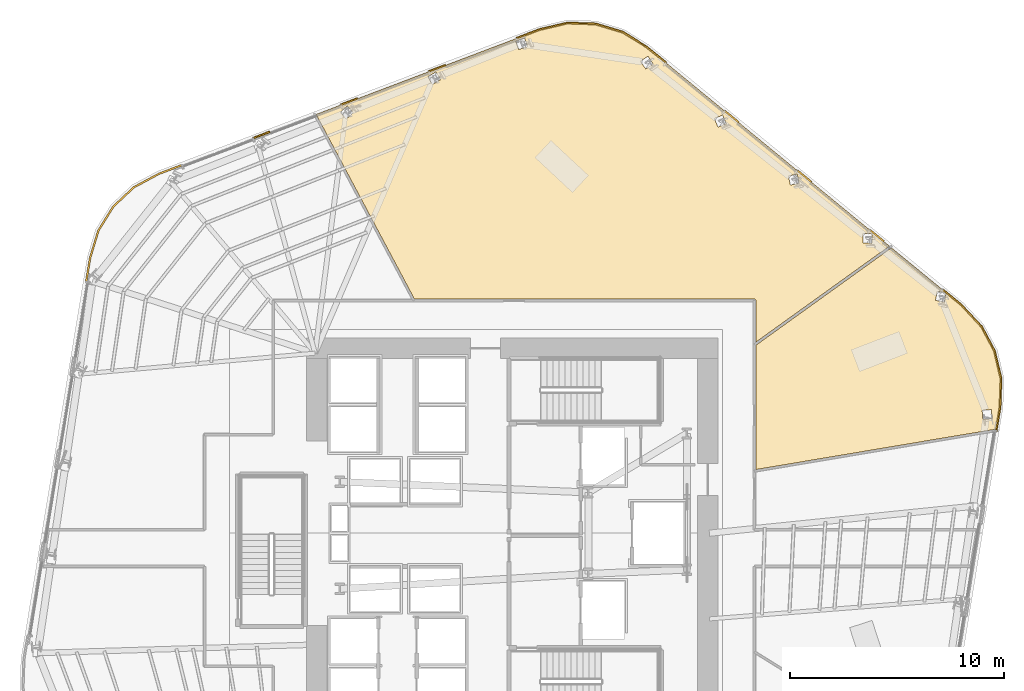
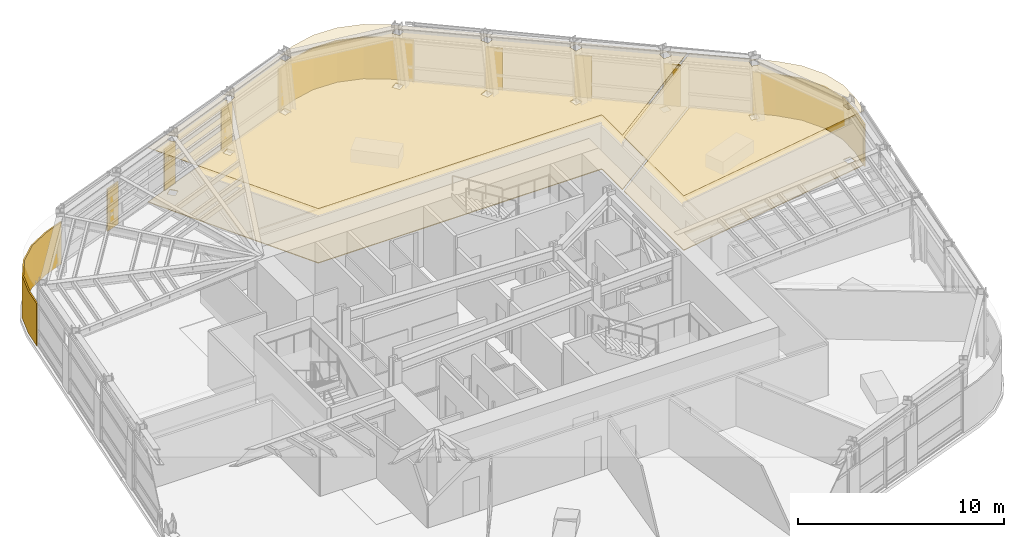
# One storey, part 17 of 18: 13 coverings.
"""IFC4 building model written with IfcOpenShell, lengths in metres."""

from ifc_helpers import new_model, si_unit, direction, frame, origin, place, context, subcontext, project, spatial, polyline, outline, extrude, material, layer, layer_set, type_object, element, save


model = new_model("IFC4")

# Units and contexts
model_context = context("Model", 3, precision=1e-05, world=origin(), true_north=direction((0.0, 1.0)))
body_context = subcontext(model_context, "Body", "Model", "MODEL_VIEW")
ifc_project = project(units=[si_unit("LENGTHUNIT", "METRE"), si_unit("AREAUNIT", "SQUARE_METRE"), si_unit("VOLUMEUNIT", "CUBIC_METRE"), si_unit("PLANEANGLEUNIT", "RADIAN"), si_unit("MASSUNIT", "GRAM", prefix="KILO")], contexts=[model_context])

# Site, building, storey
site_placement = place(None, origin())
site = spatial("IfcSite", under=ifc_project, at=site_placement, CompositionType="ELEMENT")
building_placement = place(site_placement, origin())
building = spatial("IfcBuilding", under=site, at=building_placement, Name="Valkerne Bourse Tower", CompositionType="ELEMENT")
storey_placement = place(building_placement, frame((0.0, 0.0, 112.39990234375)))
storey = spatial("IfcBuildingStorey", under=building, at=storey_placement, Name="L28", CompositionType="ELEMENT", Elevation=112.39990234375)

# Coverings
ifc_material_1 = material(Name="Mineral Fiber Acoustic Ceiling Tile", Category="acoustic")
ifc_layer_1 = layer(ifc_material_1, 0.02490234375)
ifc_layer_set_1 = layer_set([ifc_layer_1], Name="Mineral Fiber Acoustic Ceiling Tile")
covering_type_1 = type_object("IfcCoveringType", Name="COV-CEIL-ACT", PredefinedType="CEILING", material=ifc_layer_set_1)
covering_1_placement = place(storey_placement, frame((0.0, 0.0, 3.22998046875)))
element("IfcCovering", 1, at=covering_1_placement, inside=storey, type_object=covering_type_1, Name="L28 Suspended Ceiling 05", PredefinedType="CEILING", context=body_context, shape_type="SweptSolid", body=[
    extrude(outline(polyline([(69.297607421875, 35.501220703125), (69.59912109375, 34.216552734375), (69.557373046875, 32.887939453125), (69.389404296875, 31.85546875), (58.1689453125, 29.9697265625), (58.1689453125, 35.769287109375), (64.493408203125, 40.31591796875), (67.764404296875, 37.633056640625), (68.67431640625, 36.6640625), (69.297607421875, 35.501220703125)]), holes=[polyline([(69.154296875, 32.762939453125), (69.153564453125, 32.76611328125), (68.722900390625, 32.732666015625), (68.75439453125, 32.318603515625), (68.75537109375, 32.3154296875), (69.18603515625, 32.34912109375), (69.154296875, 32.762939453125)]), polyline([(67.039306640625, 38.20751953125), (67.03759765625, 38.21044921875), (66.62841796875, 38.287109375), (66.54736328125, 37.863525390625), (66.549072265625, 37.860595703125), (66.9580078125, 37.7841796875), (67.039306640625, 38.20751953125)])]), origin(), (0.0, 0.0, 1.0), 0.025146484375),
])
covering_2_placement = place(storey_placement, frame((0.0, 0.0, 3.22998046875)))
element("IfcCovering", 2, at=covering_2_placement, inside=storey, type_object=covering_type_1, Name="L28 Suspended Ceiling 09", PredefinedType="CEILING", context=body_context, shape_type="SweptSolid", body=[
    extrude(outline(polyline([(50.6904296875, 50.757080078125), (51.95361328125, 50.375732421875), (53.0830078125, 49.67529296875), (64.39892578125, 40.393310546875), (58.1689453125, 35.91455078125), (58.1689453125, 37.853515625), (58.151611328125, 37.89599609375), (58.110107421875, 37.91845703125), (42.239501953125, 37.9189453125), (37.64892578125, 46.541748046875), (48.07763671875, 50.4951171875), (49.37158203125, 50.798583984375), (50.6904296875, 50.757080078125)]), holes=[polyline([(39.06201171875, 46.325439453125), (39.38232421875, 46.61328125), (39.104736328125, 46.924072265625), (39.101806640625, 46.923095703125), (38.781494140625, 46.63525390625), (39.05908203125, 46.324462890625), (39.06201171875, 46.325439453125)]), polyline([(43.45263671875, 48.156494140625), (43.244140625, 48.517333984375), (43.2412109375, 48.516845703125), (42.868896484375, 48.30029296875), (43.077392578125, 47.939453125), (43.080322265625, 47.93994140625), (43.45263671875, 48.156494140625)]), polyline([(53.130126953125, 49.252197265625), (53.126953125, 49.253173828125), (52.7841796875, 49.017333984375), (53.027099609375, 48.6611328125), (53.0302734375, 48.66015625), (53.373046875, 48.896240234375), (53.130126953125, 49.252197265625)]), polyline([(47.375732421875, 50.1005859375), (47.372314453125, 50.1005859375), (46.96630859375, 49.9580078125), (47.103271484375, 49.564453125), (47.106689453125, 49.564208984375), (47.5126953125, 49.70703125), (47.375732421875, 50.1005859375)]), polyline([(63.57373046875, 40.5498046875), (63.57373046875, 40.981201171875), (63.57177734375, 40.9833984375), (63.155517578125, 40.98193359375), (63.155517578125, 40.55078125), (63.157470703125, 40.54833984375), (63.57373046875, 40.5498046875)]), polyline([(60.096923828125, 43.74951171875), (60.094482421875, 43.751220703125), (59.687255859375, 43.6650390625), (59.775146484375, 43.242919921875), (59.777587890625, 43.240966796875), (60.184814453125, 43.3271484375), (60.096923828125, 43.74951171875)]), polyline([(56.78515625, 46.111572265625), (56.613525390625, 46.507080078125), (56.610595703125, 46.508544921875), (56.2294921875, 46.34130859375), (56.4013671875, 45.94580078125), (56.404052734375, 45.9443359375), (56.78515625, 46.111572265625)])]), origin(), (0.0, 0.0, 1.0), 0.025146484375),
])
ifc_material_2 = material(Name="Bronze Anodised Aluminium AA 6063-T6", Category="aluminium")
ifc_layer_2 = layer(ifc_material_2, 0.06005859375)
ifc_layer_set_2 = layer_set([ifc_layer_2], Name="Bronze Anodised Aluminium AA 6063-T6")
covering_type_2 = type_object("IfcCoveringType", Name="COV-CRN-ALUM", PredefinedType="CLADDING", material=ifc_layer_set_2)
covering_3_placement = place(storey_placement, origin())
element("IfcCovering", 3, at=covering_3_placement, inside=storey, type_object=covering_type_2, Name="L28 Wind-Shaped Corner Aluminium Cladding 13", PredefinedType="CLADDING", context=body_context, shape_type="SweptSolid", body=[
    extrude(outline(polyline([(27.06640625, 39.84912109375), (27.453125, 41.1298828125), (28.154541015625, 42.260986328125), (29.125, 43.17236328125), (30.303955078125, 43.804443359375), (31.374755859375, 44.21044921875), (31.403076171875, 44.135498046875), (30.337158203125, 43.7314453125), (29.172119140625, 43.10693359375), (28.217041015625, 42.2099609375), (27.526611328125, 41.0966796875), (27.14453125, 39.8310546875), (26.958984375, 38.706298828125), (26.880126953125, 38.71923828125), (27.06640625, 39.84912109375)])), origin(), (0.0, 0.0, 1.0), 2.5),
])
covering_4_placement = place(storey_placement, origin())
element("IfcCovering", 4, at=covering_4_placement, inside=storey, type_object=covering_type_2, Name="L28 Wind-Shaped Corner Aluminium Cladding 14", PredefinedType="CLADDING", context=body_context, shape_type="SweptSolid", body=[
    extrude(outline(polyline([(35.47314453125, 45.76416015625), (35.50146484375, 45.689208984375), (34.716064453125, 45.3916015625), (34.687744140625, 45.46630859375), (35.47314453125, 45.76416015625)])), origin(), (0.0, 0.0, 1.0), 2.5),
])
covering_5_placement = place(storey_placement, origin())
element("IfcCovering", 5, at=covering_5_placement, inside=storey, type_object=covering_type_2, Name="L28 Wind-Shaped Corner Aluminium Cladding 15", PredefinedType="CLADDING", context=body_context, shape_type="SweptSolid", body=[
    extrude(outline(polyline([(39.571533203125, 47.317626953125), (39.599853515625, 47.242919921875), (38.814208984375, 46.945068359375), (38.7861328125, 47.02001953125), (39.571533203125, 47.317626953125)])), origin(), (0.0, 0.0, 1.0), 2.5),
])
covering_6_placement = place(storey_placement, origin())
element("IfcCovering", 6, at=covering_6_placement, inside=storey, type_object=covering_type_2, Name="L28 Wind-Shaped Corner Aluminium Cladding 16", PredefinedType="CLADDING", context=body_context, shape_type="SweptSolid", body=[
    extrude(outline(polyline([(43.669921875, 48.871337890625), (43.6982421875, 48.79638671875), (42.912841796875, 48.498779296875), (42.884521484375, 48.573486328125), (43.669921875, 48.871337890625)])), origin(), (0.0, 0.0, 1.0), 2.5),
])
covering_7_placement = place(storey_placement, origin())
element("IfcCovering", 7, at=covering_7_placement, inside=storey, type_object=covering_type_2, Name="L28 Wind-Shaped Corner Aluminium Cladding 17", PredefinedType="CLADDING", context=body_context, shape_type="SweptSolid", body=[
    extrude(outline(polyline([(48.064697265625, 50.537353515625), (49.3671875, 50.8427734375), (50.697509765625, 50.801025390625), (51.971923828125, 50.416259765625), (53.10888671875, 49.711181640625), (54.00341796875, 48.9775390625), (53.95263671875, 48.91552734375), (53.06201171875, 49.64599609375), (51.938720703125, 50.3427734375), (50.6845703125, 50.72119140625), (49.375, 50.762451171875), (48.088134765625, 50.460693359375), (47.010986328125, 50.052490234375), (46.98291015625, 50.127197265625), (48.064697265625, 50.537353515625)])), origin(), (0.0, 0.0, 1.0), 2.5),
])
covering_8_placement = place(storey_placement, origin())
element("IfcCovering", 8, at=covering_8_placement, inside=storey, type_object=covering_type_2, Name="L28 Wind-Shaped Corner Aluminium Cladding 18", PredefinedType="CLADDING", context=body_context, shape_type="SweptSolid", body=[
    extrude(outline(polyline([(57.39208984375, 46.197998046875), (57.34130859375, 46.135986328125), (56.69189453125, 46.668701171875), (56.74267578125, 46.730712890625), (57.39208984375, 46.197998046875)])), origin(), (0.0, 0.0, 1.0), 2.5),
])
covering_9_placement = place(storey_placement, origin())
element("IfcCovering", 9, at=covering_9_placement, inside=storey, type_object=covering_type_2, Name="L28 Wind-Shaped Corner Aluminium Cladding 19", PredefinedType="CLADDING", context=body_context, shape_type="SweptSolid", body=[
    extrude(outline(polyline([(60.781005859375, 43.418212890625), (60.730224609375, 43.356201171875), (60.080810546875, 43.888916015625), (60.13134765625, 43.950927734375), (60.781005859375, 43.418212890625)])), origin(), (0.0, 0.0, 1.0), 2.5),
])
covering_10_placement = place(storey_placement, origin())
element("IfcCovering", 10, at=covering_10_placement, inside=storey, type_object=covering_type_2, Name="L28 Wind-Shaped Corner Aluminium Cladding 20", PredefinedType="CLADDING", context=body_context, shape_type="SweptSolid", body=[
    extrude(outline(polyline([(64.169677734375, 40.638427734375), (64.118896484375, 40.576416015625), (63.469482421875, 41.109375), (63.520263671875, 41.171142578125), (64.169677734375, 40.638427734375)])), origin(), (0.0, 0.0, 1.0), 2.5),
])
covering_11_placement = place(storey_placement, origin())
element("IfcCovering", 11, at=covering_11_placement, inside=storey, type_object=covering_type_2, Name="L28 Wind-Shaped Corner Aluminium Cladding 21", PredefinedType="CLADDING", context=body_context, shape_type="SweptSolid", body=[
    extrude(outline(polyline([(67.79443359375, 37.665283203125), (68.710205078125, 36.68994140625), (69.339111328125, 35.516845703125), (69.643310546875, 34.220947265625), (69.601318359375, 32.8837890625), (69.417236328125, 31.75341796875), (69.33837890625, 31.766357421875), (69.521484375, 32.8916015625), (69.56298828125, 34.212890625), (69.263916015625, 35.48828125), (68.644775390625, 36.64306640625), (67.73974609375, 37.606689453125), (66.8583984375, 38.32958984375), (66.908935546875, 38.3916015625), (67.79443359375, 37.665283203125)])), origin(), (0.0, 0.0, 1.0), 2.5),
])
ifc_material_3 = material(Name="Galvanised Painted Steel", Category="steel")
ifc_layer_3 = layer(ifc_material_3, 0.044921875)
ifc_layer_set_3 = layer_set([ifc_layer_3], Name="Galvanised Painted Steel")
covering_type_3 = type_object("IfcCoveringType", Name="COV-FLR-RAF", PredefinedType="FLOORING", material=ifc_layer_set_3)
covering_12_placement = place(storey_placement, origin())
element("IfcCovering", 12, at=covering_12_placement, inside=storey, type_object=covering_type_3, Name="L28 Floor Finish 05", PredefinedType="FLOORING", context=body_context, shape_type="SweptSolid", body=[
    extrude(outline(polyline([(69.297607421875, 35.501220703125), (69.59912109375, 34.216552734375), (69.557373046875, 32.887939453125), (69.389404296875, 31.85546875), (58.1689453125, 29.9697265625), (58.1689453125, 35.769287109375), (64.493408203125, 40.31591796875), (67.764404296875, 37.633056640625), (68.67431640625, 36.6640625), (69.297607421875, 35.501220703125)]), holes=[polyline([(69.154296875, 32.762939453125), (69.153564453125, 32.76611328125), (68.722900390625, 32.732666015625), (68.75439453125, 32.318603515625), (68.75537109375, 32.3154296875), (69.18603515625, 32.34912109375), (69.154296875, 32.762939453125)]), polyline([(67.039306640625, 38.20751953125), (67.03759765625, 38.21044921875), (66.62841796875, 38.287109375), (66.54736328125, 37.863525390625), (66.549072265625, 37.860595703125), (66.9580078125, 37.7841796875), (67.039306640625, 38.20751953125)])]), origin(), (0.0, 0.0, 1.0), 0.045166015625),
])
covering_13_placement = place(storey_placement, origin())
element("IfcCovering", 13, at=covering_13_placement, inside=storey, type_object=covering_type_3, Name="L28 Floor Finish 09", PredefinedType="FLOORING", context=body_context, shape_type="SweptSolid", body=[
    extrude(outline(polyline([(50.6904296875, 50.757080078125), (51.95361328125, 50.375732421875), (53.0830078125, 49.67529296875), (64.39892578125, 40.393310546875), (58.1689453125, 35.91455078125), (58.1689453125, 37.853515625), (58.151611328125, 37.89599609375), (58.110107421875, 37.91845703125), (42.239501953125, 37.9189453125), (37.64892578125, 46.541748046875), (48.07763671875, 50.4951171875), (49.37158203125, 50.798583984375), (50.6904296875, 50.757080078125)]), holes=[polyline([(39.06201171875, 46.325439453125), (39.38232421875, 46.61328125), (39.104736328125, 46.924072265625), (39.101806640625, 46.923095703125), (38.781494140625, 46.63525390625), (39.05908203125, 46.324462890625), (39.06201171875, 46.325439453125)]), polyline([(43.45263671875, 48.156494140625), (43.244140625, 48.517333984375), (43.2412109375, 48.516845703125), (42.868896484375, 48.30029296875), (43.077392578125, 47.939453125), (43.080322265625, 47.93994140625), (43.45263671875, 48.156494140625)]), polyline([(53.130126953125, 49.252197265625), (53.126953125, 49.253173828125), (52.7841796875, 49.017333984375), (53.027099609375, 48.6611328125), (53.0302734375, 48.66015625), (53.373046875, 48.896240234375), (53.130126953125, 49.252197265625)]), polyline([(47.375732421875, 50.1005859375), (47.372314453125, 50.1005859375), (46.96630859375, 49.9580078125), (47.103271484375, 49.564453125), (47.106689453125, 49.564208984375), (47.5126953125, 49.70703125), (47.375732421875, 50.1005859375)]), polyline([(63.57373046875, 40.5498046875), (63.57373046875, 40.981201171875), (63.57177734375, 40.9833984375), (63.155517578125, 40.98193359375), (63.155517578125, 40.55078125), (63.157470703125, 40.54833984375), (63.57373046875, 40.5498046875)]), polyline([(60.096923828125, 43.74951171875), (60.094482421875, 43.751220703125), (59.687255859375, 43.6650390625), (59.775146484375, 43.242919921875), (59.777587890625, 43.240966796875), (60.184814453125, 43.3271484375), (60.096923828125, 43.74951171875)]), polyline([(56.78515625, 46.111572265625), (56.613525390625, 46.507080078125), (56.610595703125, 46.508544921875), (56.2294921875, 46.34130859375), (56.4013671875, 45.94580078125), (56.404052734375, 45.9443359375), (56.78515625, 46.111572265625)])]), origin(), (0.0, 0.0, 1.0), 0.045166015625),
])

save(model, "model.ifc")
